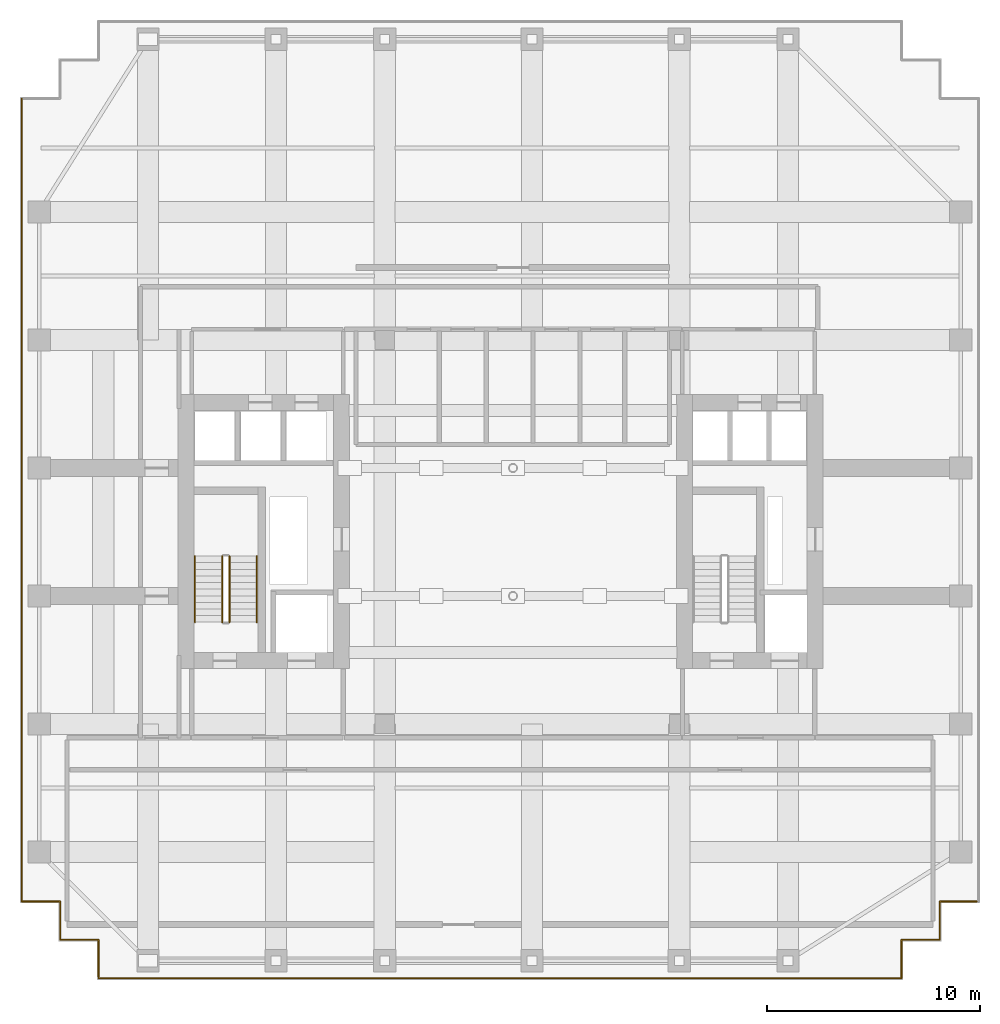
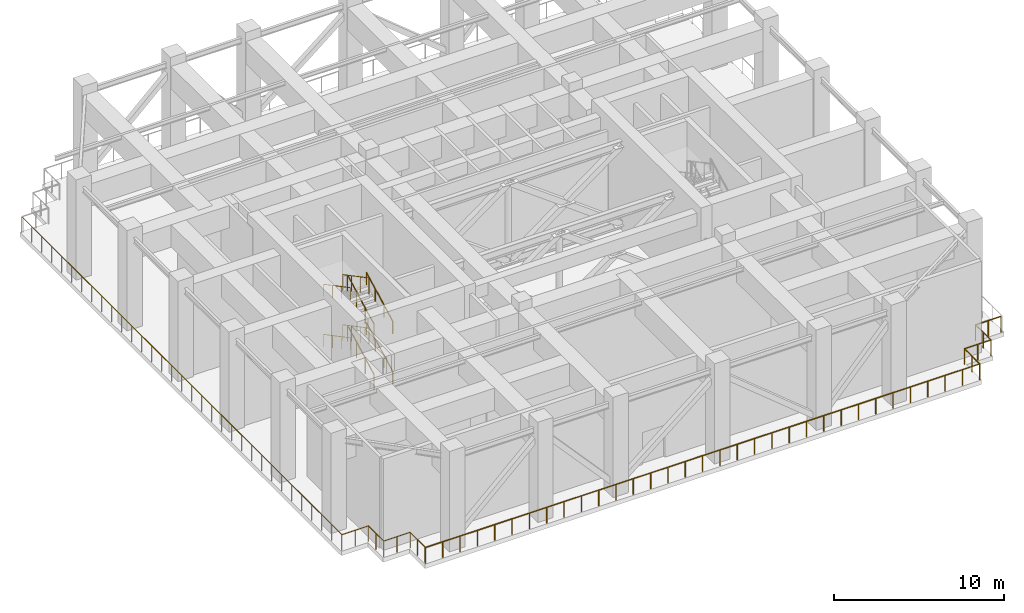
# One storey, part 8 of 10: 10 railings.
"""IFC4 building model written with IfcOpenShell, lengths in metres."""

import ifcopenshell
import ifcopenshell.guid

model = None  # the IFC model being written
_history = None  # IfcOwnerHistory: only IFC2X3 demands one
_inside = {}  # id of a spatial element -> (the spatial element, [elements in it])
_under = {}  # id of a project, library or spatial element -> (it, [spatial elements below it])
_declared = {}  # id of a project -> (the project, [libraries it declares])
_typed = {}  # id of a type object -> (the type object, [elements of that type])
_made_of = {}  # id of a material, layer set ... -> (it, [elements and type objects made of it])


def new_model(schema):
    """Start an empty IFC model of exactly this schema.

    Asked for "IFC4X3", IfcOpenShell would pick the latest addendum, in which some entities
    have other attributes; the version numbers below select the first issue.
    IFC2X3 requires an IfcOwnerHistory on every rooted entity: one is made here for all.
    """
    global model, _history
    if schema == "IFC4X3":
        model = ifcopenshell.file(schema_version=(4, 3, 0, 0))
    else:
        model = ifcopenshell.file(schema=schema)
    _inside.clear()
    _under.clear()
    _declared.clear()
    _typed.clear()
    _made_of.clear()
    _history = None
    if model.schema == "IFC2X3":
        org = make("IfcOrganization", Name="unknown")
        user = make(
            "IfcPersonAndOrganization",
            ThePerson=make("IfcPerson", FamilyName="unknown"),
            TheOrganization=org,
        )
        app = make(
            "IfcApplication",
            ApplicationDeveloper=org,
            Version="unknown",
            ApplicationFullName="unknown",
            ApplicationIdentifier="unknown",
        )
        _history = make(
            "IfcOwnerHistory",
            OwningUser=user,
            OwningApplication=app,
            ChangeAction="ADDED",
            CreationDate=0,
        )
    return model


def make(cls, **values):
    """One entity of the class cls with the attributes given. An attribute that is None is left unset."""
    return model.create_entity(
        cls, **{name: value for name, value in values.items() if value is not None}
    )


def rooted(cls, **values):
    """An entity with a GlobalId (a new one), such as an element, a storey or a relation."""
    return make(cls, GlobalId=ifcopenshell.guid.new(), OwnerHistory=_history, **values)


def si_unit(unit_type, name, prefix=None):
    """IfcSIUnit, for example si_unit("LENGTHUNIT", "METRE", prefix="MILLI")."""
    return make("IfcSIUnit", UnitType=unit_type, Prefix=prefix, Name=name)


def assignment(units):
    """IfcUnitAssignment: the units of a project."""
    return None if units is None else make("IfcUnitAssignment", Units=units)


def point(xyz):
    """IfcCartesianPoint."""
    return None if xyz is None else make("IfcCartesianPoint", Coordinates=xyz)


def direction(xyz):
    """IfcDirection."""
    return None if xyz is None else make("IfcDirection", DirectionRatios=xyz)


def frame(location, z_axis=None, x_axis=None):
    """IfcAxis2Placement3D, a coordinate frame: its origin and axes. An axis left out is left unset."""
    return make(
        "IfcAxis2Placement3D",
        Location=point(location),
        Axis=direction(z_axis),
        RefDirection=direction(x_axis),
    )


def frame_2d(location, x_axis=None):
    """IfcAxis2Placement2D, a coordinate frame in the plane: its origin and x axis."""
    return make(
        "IfcAxis2Placement2D", Location=point(location), RefDirection=direction(x_axis)
    )


def origin():
    """The frame at (0, 0, 0) with its axes left unset."""
    return frame((0.0, 0.0, 0.0))


def origin_2d():
    """The frame at (0, 0) in the plane with its x axis left unset."""
    return frame_2d((0.0, 0.0))


def place(relative_to, where):
    """IfcLocalPlacement: puts the frame where relative to a parent placement (None: the world)."""
    return make(
        "IfcLocalPlacement", PlacementRelTo=relative_to, RelativePlacement=where
    )


def context(
    kind, dimensions, precision=None, world=None, true_north=None, identifier=None
):
    """IfcGeometricRepresentationContext, for example the 3D "Model" context."""
    return make(
        "IfcGeometricRepresentationContext",
        ContextIdentifier=identifier,
        ContextType=kind,
        CoordinateSpaceDimension=dimensions,
        Precision=precision,
        WorldCoordinateSystem=world,
        TrueNorth=true_north,
    )


def subcontext(parent, identifier, kind, view, scale=None):
    """IfcGeometricRepresentationSubContext, for example "Body" below "Model"."""
    return make(
        "IfcGeometricRepresentationSubContext",
        ContextIdentifier=identifier,
        ContextType=kind,
        ParentContext=parent,
        TargetScale=scale,
        TargetView=view,
    )


def project(units=None, contexts=None):
    """IfcProject with its units and contexts."""
    return rooted(
        "IfcProject",
        Name="project",
        RepresentationContexts=contexts,
        UnitsInContext=assignment(units),
    )


def spatial(cls, under=None, at=None, **own):
    """A site, building, storey or space (cls), placed at a placement, below another one or the project."""
    s = rooted(cls, ObjectPlacement=at, **own)
    if under is not None:
        _under.setdefault(under.id(), (under, []))[1].append(s)
    return s


def profile(cls, at=None, kind="AREA", **sizes):
    """A parametric profile (cls). Its sizes go by their IFC names, for example OverallWidth=200.0."""
    return make(cls, ProfileType=kind, Position=at, **sizes)


def circle(**sizes):
    """IfcCircleProfileDef."""
    return profile("IfcCircleProfileDef", **sizes)


def extrude(swept, where, along, depth):
    """IfcExtrudedAreaSolid: the profile swept, set in the frame where, extruded along a direction by depth."""
    return make(
        "IfcExtrudedAreaSolid",
        SweptArea=swept,
        Position=where,
        ExtrudedDirection=direction(along),
        Depth=depth,
    )


def shape(context_of_items, identifier, shape_type, items):
    """IfcShapeRepresentation: the items that make up one representation, for example the "Body"."""
    return make(
        "IfcShapeRepresentation",
        ContextOfItems=context_of_items,
        RepresentationIdentifier=identifier,
        RepresentationType=shape_type,
        Items=items,
    )


def material(Name=None, Category=None):
    """IfcMaterial."""
    return make("IfcMaterial", Name=Name, Category=Category)


def made_of(thing, what):
    """Note that an element or type object is made of a material, layer set ...; save() writes the relation."""
    if what is not None:
        _made_of.setdefault(what.id(), (what, []))[1].append(thing)
    return thing


def type_object(cls, material=None, **own):
    """A type object (cls), such as IfcWallType, which elements share."""
    return made_of(rooted(cls, **own), material)


def element(
    cls,
    number,
    at=None,
    inside=None,
    cuts=None,
    type_object=None,
    material=None,
    context=None,
    identifier="Body",
    shape_type=None,
    held_by="IfcProductDefinitionShape",
    body=None,
    shapes=None,
    **own,
):
    """One element of the class cls, such as IfcWall. Its Tag is "e" and its number.

    at: its placement. inside: the storey or other place that contains it. cuts: it is an
    opening in that element (IfcRelVoidsElement). A single representation is given by context,
    identifier, shape_type and body (its items); several are given by shapes. held_by: the class
    of the entity that holds the representations. save() writes the other relations.
    """
    e = rooted(cls, Tag="e%d" % number, ObjectPlacement=at, **own)
    if body is not None:
        shapes = [shape(context, identifier, shape_type, body)]
    if shapes is not None:
        e.Representation = make(held_by, Representations=shapes)
    if inside is not None:
        _inside.setdefault(inside.id(), (inside, []))[1].append(e)
    if cuts is not None:
        rooted(
            "IfcRelVoidsElement", RelatingBuildingElement=cuts, RelatedOpeningElement=e
        )
    if type_object is not None:
        _typed.setdefault(type_object.id(), (type_object, []))[1].append(e)
    return made_of(e, material)


def aggregate(whole, parts):
    """IfcRelAggregates: a whole, such as a stair, and the parts it consists of."""
    return rooted("IfcRelAggregates", RelatingObject=whole, RelatedObjects=parts)


def save(model, path):
    """Write the relations noted so far, then the file.

    IfcRelAggregates (storeys below a building ...), IfcRelContainedInSpatialStructure (elements
    in a storey), IfcRelDefinesByType, IfcRelAssociatesMaterial and IfcRelDeclares: one each for
    every whole, place, type object, material and project.
    """
    for whole, parts in _under.values():
        aggregate(whole, parts)
    for where, things in _inside.values():
        rooted(
            "IfcRelContainedInSpatialStructure",
            RelatedElements=things,
            RelatingStructure=where,
        )
    for kind, things in _typed.values():
        rooted("IfcRelDefinesByType", RelatedObjects=things, RelatingType=kind)
    for what, things in _made_of.values():
        rooted("IfcRelAssociatesMaterial", RelatedObjects=things, RelatingMaterial=what)
    for by, libraries in _declared.values():
        rooted("IfcRelDeclares", RelatingContext=by, RelatedDefinitions=libraries)
    model.write(path)


model = new_model("IFC4")

# Units and contexts
model_context = context("Model", 3, precision=1e-05, world=origin(), true_north=direction((0.0, 1.0)))
body_context = subcontext(model_context, "Body", "Model", "MODEL_VIEW")
ifc_project = project(units=[si_unit("LENGTHUNIT", "METRE"), si_unit("AREAUNIT", "SQUARE_METRE"), si_unit("VOLUMEUNIT", "CUBIC_METRE"), si_unit("PLANEANGLEUNIT", "RADIAN"), si_unit("MASSUNIT", "GRAM", prefix="KILO")], contexts=[model_context])

# Site, building, storey
site_placement = place(None, origin())
site = spatial("IfcSite", under=ifc_project, at=site_placement, CompositionType="ELEMENT")
building_placement = place(site_placement, origin())
building = spatial("IfcBuilding", under=site, at=building_placement, Name="Khoralis Quay Care Tower", CompositionType="ELEMENT")
storey_placement = place(building_placement, frame((0.0, 0.0, 148.5)))
storey = spatial("IfcBuildingStorey", under=building, at=storey_placement, Name="L39", CompositionType="ELEMENT", Elevation=148.5)

# Railings
ifc_material_1 = material(Name="Pale anodised aluminium", Category="aluminium")
railing_type_1 = type_object("IfcRailingType", Name="RL-BALUST-1150", PredefinedType="BALUSTRADE", material=ifc_material_1)
railing_1_placement = place(storey_placement, frame((3.679931640625, 0.080078125, 0.0)))
element("IfcRailing", 1, at=railing_1_placement, inside=storey, type_object=railing_type_1, Name="L39 Open Wind-Slot Portal Perimeter Guard 1.1", PredefinedType="BALUSTRADE", context=body_context, shape_type="SweptSolid", body=[
    extrude(circle(Radius=0.02392578125, at=origin_2d()), frame((0.0, 0.0, 1.1259765625), z_axis=(1.0, 0.0, 0.0), x_axis=(0.0, 1.0, 0.0)), (0.0, 0.0, 1.0), 37.64013671875),
    extrude(circle(Radius=0.02392578125, at=origin_2d()), frame((37.64013671875, 0.0, 1.1259765625), z_axis=(0.0, 1.0, 0.0), x_axis=(-1.0, 0.0, 0.0)), (0.0, 0.0, 1.0), 1.7998046875),
    extrude(circle(Radius=0.02392578125, at=origin_2d()), frame((37.64013671875, 1.7998046875, 1.1259765625), z_axis=(1.0, 0.0, 0.0), x_axis=(0.0, 1.0, 0.0)), (0.0, 0.0, 1.0), 1.800048828125),
    extrude(circle(Radius=0.02392578125, at=origin_2d()), frame((39.440185546875, 1.7998046875, 1.1259765625), z_axis=(0.0, 1.0, 0.0), x_axis=(-1.0, 0.0, 0.0)), (0.0, 0.0, 1.0), 1.800048828125),
    extrude(circle(Radius=0.02392578125, at=origin_2d()), frame((39.440185546875, 3.599853515625, 1.1259765625), z_axis=(1.0, 0.0, 0.0), x_axis=(0.0, 1.0, 0.0)), (0.0, 0.0, 1.0), 1.719970703125),
    extrude(circle(Radius=0.02099609375, at=origin_2d()), origin(), (0.0, 0.0, 1.0), 1.101806640625),
    extrude(circle(Radius=0.02099609375, at=origin_2d()), frame((1.17626953125, 0.0, 0.0)), (0.0, 0.0, 1.0), 1.101806640625),
    extrude(circle(Radius=0.02099609375, at=origin_2d()), frame((2.3525390625, 0.0, 0.0)), (0.0, 0.0, 1.0), 1.101806640625),
    extrude(circle(Radius=0.02099609375, at=origin_2d()), frame((3.52880859375, 0.0, 0.0)), (0.0, 0.0, 1.0), 1.101806640625),
    extrude(circle(Radius=0.02099609375, at=origin_2d()), frame((4.705078125, 0.0, 0.0)), (0.0, 0.0, 1.0), 1.101806640625),
    extrude(circle(Radius=0.02099609375, at=origin_2d()), frame((5.88134765625, 0.0, 0.0)), (0.0, 0.0, 1.0), 1.101806640625),
    extrude(circle(Radius=0.02099609375, at=origin_2d()), frame((7.0576171875, 0.0, 0.0)), (0.0, 0.0, 1.0), 1.101806640625),
    extrude(circle(Radius=0.02099609375, at=origin_2d()), frame((8.23388671875, 0.0, 0.0)), (0.0, 0.0, 1.0), 1.101806640625),
    extrude(circle(Radius=0.02099609375, at=origin_2d()), frame((9.41015625, 0.0, 0.0)), (0.0, 0.0, 1.0), 1.101806640625),
    extrude(circle(Radius=0.02099609375, at=origin_2d()), frame((10.586181640625, 0.0, 0.0)), (0.0, 0.0, 1.0), 1.101806640625),
    extrude(circle(Radius=0.02099609375, at=origin_2d()), frame((11.762451171875, 0.0, 0.0)), (0.0, 0.0, 1.0), 1.101806640625),
    extrude(circle(Radius=0.02099609375, at=origin_2d()), frame((12.938720703125, 0.0, 0.0)), (0.0, 0.0, 1.0), 1.101806640625),
    extrude(circle(Radius=0.02099609375, at=origin_2d()), frame((14.114990234375, 0.0, 0.0)), (0.0, 0.0, 1.0), 1.101806640625),
    extrude(circle(Radius=0.02099609375, at=origin_2d()), frame((15.291259765625, 0.0, 0.0)), (0.0, 0.0, 1.0), 1.101806640625),
    extrude(circle(Radius=0.02099609375, at=origin_2d()), frame((16.467529296875, 0.0, 0.0)), (0.0, 0.0, 1.0), 1.101806640625),
    extrude(circle(Radius=0.02099609375, at=origin_2d()), frame((17.643798828125, 0.0, 0.0)), (0.0, 0.0, 1.0), 1.101806640625),
    extrude(circle(Radius=0.02099609375, at=origin_2d()), frame((18.820068359375, 0.0, 0.0)), (0.0, 0.0, 1.0), 1.101806640625),
    extrude(circle(Radius=0.02099609375, at=origin_2d()), frame((19.996337890625, 0.0, 0.0)), (0.0, 0.0, 1.0), 1.101806640625),
    extrude(circle(Radius=0.02099609375, at=origin_2d()), frame((21.172607421875, 0.0, 0.0)), (0.0, 0.0, 1.0), 1.101806640625),
    extrude(circle(Radius=0.02099609375, at=origin_2d()), frame((22.348876953125, 0.0, 0.0)), (0.0, 0.0, 1.0), 1.101806640625),
    extrude(circle(Radius=0.02099609375, at=origin_2d()), frame((23.525146484375, 0.0, 0.0)), (0.0, 0.0, 1.0), 1.101806640625),
    extrude(circle(Radius=0.02099609375, at=origin_2d()), frame((24.701416015625, 0.0, 0.0)), (0.0, 0.0, 1.0), 1.101806640625),
    extrude(circle(Radius=0.02099609375, at=origin_2d()), frame((25.877685546875, 0.0, 0.0)), (0.0, 0.0, 1.0), 1.101806640625),
    extrude(circle(Radius=0.02099609375, at=origin_2d()), frame((27.053955078125, 0.0, 0.0)), (0.0, 0.0, 1.0), 1.101806640625),
    extrude(circle(Radius=0.02099609375, at=origin_2d()), frame((28.22998046875, 0.0, 0.0)), (0.0, 0.0, 1.0), 1.101806640625),
    extrude(circle(Radius=0.02099609375, at=origin_2d()), frame((29.40625, 0.0, 0.0)), (0.0, 0.0, 1.0), 1.101806640625),
    extrude(circle(Radius=0.02099609375, at=origin_2d()), frame((30.58251953125, 0.0, 0.0)), (0.0, 0.0, 1.0), 1.101806640625),
    extrude(circle(Radius=0.02099609375, at=origin_2d()), frame((31.7587890625, 0.0, 0.0)), (0.0, 0.0, 1.0), 1.101806640625),
    extrude(circle(Radius=0.02099609375, at=origin_2d()), frame((32.93505859375, 0.0, 0.0)), (0.0, 0.0, 1.0), 1.101806640625),
    extrude(circle(Radius=0.02099609375, at=origin_2d()), frame((34.111328125, 0.0, 0.0)), (0.0, 0.0, 1.0), 1.101806640625),
    extrude(circle(Radius=0.02099609375, at=origin_2d()), frame((35.28759765625, 0.0, 0.0)), (0.0, 0.0, 1.0), 1.101806640625),
    extrude(circle(Radius=0.02099609375, at=origin_2d()), frame((36.4638671875, 0.0, 0.0)), (0.0, 0.0, 1.0), 1.101806640625),
    extrude(circle(Radius=0.02099609375, at=origin_2d()), frame((37.64013671875, 0.0, 0.0)), (0.0, 0.0, 1.0), 1.101806640625),
    extrude(circle(Radius=0.02099609375, at=origin_2d()), frame((37.64013671875, 0.89990234375, 0.0)), (0.0, 0.0, 1.0), 1.101806640625),
    extrude(circle(Radius=0.02099609375, at=origin_2d()), frame((37.64013671875, 1.7998046875, 0.0)), (0.0, 0.0, 1.0), 1.101806640625),
    extrude(circle(Radius=0.02099609375, at=origin_2d()), frame((38.5400390625, 1.7998046875, 0.0)), (0.0, 0.0, 1.0), 1.101806640625),
    extrude(circle(Radius=0.02099609375, at=origin_2d()), frame((39.440185546875, 1.7998046875, 0.0)), (0.0, 0.0, 1.0), 1.101806640625),
    extrude(circle(Radius=0.02099609375, at=origin_2d()), frame((39.440185546875, 2.69970703125, 0.0)), (0.0, 0.0, 1.0), 1.101806640625),
    extrude(circle(Radius=0.02099609375, at=origin_2d()), frame((39.440185546875, 3.599853515625, 0.0)), (0.0, 0.0, 1.0), 1.101806640625),
    extrude(circle(Radius=0.02099609375, at=origin_2d()), frame((40.30029296875, 3.599853515625, 0.0)), (0.0, 0.0, 1.0), 1.101806640625),
    extrude(circle(Radius=0.02099609375, at=origin_2d()), frame((41.16015625, 3.599853515625, 0.0)), (0.0, 0.0, 1.0), 1.101806640625),
])
railing_2_placement = place(storey_placement, frame((0.080078125, 41.320068359375, 0.0)))
element("IfcRailing", 2, at=railing_2_placement, inside=storey, type_object=railing_type_1, Name="L39 Open Wind-Slot Portal Perimeter Guard 1.4", PredefinedType="BALUSTRADE", context=body_context, shape_type="SweptSolid", body=[
    extrude(circle(Radius=0.02392578125, at=origin_2d()), frame((0.0, 0.0, 1.1259765625), z_axis=(0.0, -1.0, 0.0), x_axis=(1.0, 0.0, 0.0)), (0.0, 0.0, 1.0), 37.64013671875),
    extrude(circle(Radius=0.02392578125, at=origin_2d()), frame((0.0, -37.64013671875, 1.1259765625), z_axis=(1.0, 0.0, 0.0), x_axis=(0.0, 1.0, 0.0)), (0.0, 0.0, 1.0), 1.7998046875),
    extrude(circle(Radius=0.02392578125, at=origin_2d()), frame((1.7998046875, -37.64013671875, 1.1259765625), z_axis=(0.0, -1.0, 0.0), x_axis=(1.0, 0.0, 0.0)), (0.0, 0.0, 1.0), 1.800048828125),
    extrude(circle(Radius=0.02392578125, at=origin_2d()), frame((1.7998046875, -39.440185546875, 1.1259765625), z_axis=(1.0, 0.0, 0.0), x_axis=(0.0, 1.0, 0.0)), (0.0, 0.0, 1.0), 1.800048828125),
    extrude(circle(Radius=0.02392578125, at=origin_2d()), frame((3.599853515625, -39.440185546875, 1.1259765625), z_axis=(0.0, -1.0, 0.0), x_axis=(1.0, 0.0, 0.0)), (0.0, 0.0, 1.0), 1.719970703125),
    extrude(circle(Radius=0.02099609375, at=origin_2d()), origin(), (0.0, 0.0, 1.0), 1.101806640625),
    extrude(circle(Radius=0.02099609375, at=origin_2d()), frame((0.0, -1.17626953125, 0.0)), (0.0, 0.0, 1.0), 1.101806640625),
    extrude(circle(Radius=0.02099609375, at=origin_2d()), frame((0.0, -2.3525390625, 0.0)), (0.0, 0.0, 1.0), 1.101806640625),
    extrude(circle(Radius=0.02099609375, at=origin_2d()), frame((0.0, -3.52880859375, 0.0)), (0.0, 0.0, 1.0), 1.101806640625),
    extrude(circle(Radius=0.02099609375, at=origin_2d()), frame((0.0, -4.705078125, 0.0)), (0.0, 0.0, 1.0), 1.101806640625),
    extrude(circle(Radius=0.02099609375, at=origin_2d()), frame((0.0, -5.88134765625, 0.0)), (0.0, 0.0, 1.0), 1.101806640625),
    extrude(circle(Radius=0.02099609375, at=origin_2d()), frame((0.0, -7.0576171875, 0.0)), (0.0, 0.0, 1.0), 1.101806640625),
    extrude(circle(Radius=0.02099609375, at=origin_2d()), frame((0.0, -8.23388671875, 0.0)), (0.0, 0.0, 1.0), 1.101806640625),
    extrude(circle(Radius=0.02099609375, at=origin_2d()), frame((0.0, -9.41015625, 0.0)), (0.0, 0.0, 1.0), 1.101806640625),
    extrude(circle(Radius=0.02099609375, at=origin_2d()), frame((0.0, -10.586181640625, 0.0)), (0.0, 0.0, 1.0), 1.101806640625),
    extrude(circle(Radius=0.02099609375, at=origin_2d()), frame((0.0, -11.762451171875, 0.0)), (0.0, 0.0, 1.0), 1.101806640625),
    extrude(circle(Radius=0.02099609375, at=origin_2d()), frame((0.0, -12.938720703125, 0.0)), (0.0, 0.0, 1.0), 1.101806640625),
    extrude(circle(Radius=0.02099609375, at=origin_2d()), frame((0.0, -14.114990234375, 0.0)), (0.0, 0.0, 1.0), 1.101806640625),
    extrude(circle(Radius=0.02099609375, at=origin_2d()), frame((0.0, -15.291259765625, 0.0)), (0.0, 0.0, 1.0), 1.101806640625),
    extrude(circle(Radius=0.02099609375, at=origin_2d()), frame((0.0, -16.467529296875, 0.0)), (0.0, 0.0, 1.0), 1.101806640625),
    extrude(circle(Radius=0.02099609375, at=origin_2d()), frame((0.0, -17.643798828125, 0.0)), (0.0, 0.0, 1.0), 1.101806640625),
    extrude(circle(Radius=0.02099609375, at=origin_2d()), frame((0.0, -18.820068359375, 0.0)), (0.0, 0.0, 1.0), 1.101806640625),
    extrude(circle(Radius=0.02099609375, at=origin_2d()), frame((0.0, -19.996337890625, 0.0)), (0.0, 0.0, 1.0), 1.101806640625),
    extrude(circle(Radius=0.02099609375, at=origin_2d()), frame((0.0, -21.172607421875, 0.0)), (0.0, 0.0, 1.0), 1.101806640625),
    extrude(circle(Radius=0.02099609375, at=origin_2d()), frame((0.0, -22.348876953125, 0.0)), (0.0, 0.0, 1.0), 1.101806640625),
    extrude(circle(Radius=0.02099609375, at=origin_2d()), frame((0.0, -23.525146484375, 0.0)), (0.0, 0.0, 1.0), 1.101806640625),
    extrude(circle(Radius=0.02099609375, at=origin_2d()), frame((0.0, -24.701416015625, 0.0)), (0.0, 0.0, 1.0), 1.101806640625),
    extrude(circle(Radius=0.02099609375, at=origin_2d()), frame((0.0, -25.877685546875, 0.0)), (0.0, 0.0, 1.0), 1.101806640625),
    extrude(circle(Radius=0.02099609375, at=origin_2d()), frame((0.0, -27.053955078125, 0.0)), (0.0, 0.0, 1.0), 1.101806640625),
    extrude(circle(Radius=0.02099609375, at=origin_2d()), frame((0.0, -28.22998046875, 0.0)), (0.0, 0.0, 1.0), 1.101806640625),
    extrude(circle(Radius=0.02099609375, at=origin_2d()), frame((0.0, -29.40625, 0.0)), (0.0, 0.0, 1.0), 1.101806640625),
    extrude(circle(Radius=0.02099609375, at=origin_2d()), frame((0.0, -30.58251953125, 0.0)), (0.0, 0.0, 1.0), 1.101806640625),
    extrude(circle(Radius=0.02099609375, at=origin_2d()), frame((0.0, -31.7587890625, 0.0)), (0.0, 0.0, 1.0), 1.101806640625),
    extrude(circle(Radius=0.02099609375, at=origin_2d()), frame((0.0, -32.93505859375, 0.0)), (0.0, 0.0, 1.0), 1.101806640625),
    extrude(circle(Radius=0.02099609375, at=origin_2d()), frame((0.0, -34.111328125, 0.0)), (0.0, 0.0, 1.0), 1.101806640625),
    extrude(circle(Radius=0.02099609375, at=origin_2d()), frame((0.0, -35.28759765625, 0.0)), (0.0, 0.0, 1.0), 1.101806640625),
    extrude(circle(Radius=0.02099609375, at=origin_2d()), frame((0.0, -36.4638671875, 0.0)), (0.0, 0.0, 1.0), 1.101806640625),
    extrude(circle(Radius=0.02099609375, at=origin_2d()), frame((0.0, -37.64013671875, 0.0)), (0.0, 0.0, 1.0), 1.101806640625),
    extrude(circle(Radius=0.02099609375, at=origin_2d()), frame((0.89990234375, -37.64013671875, 0.0)), (0.0, 0.0, 1.0), 1.101806640625),
    extrude(circle(Radius=0.02099609375, at=origin_2d()), frame((1.7998046875, -37.64013671875, 0.0)), (0.0, 0.0, 1.0), 1.101806640625),
    extrude(circle(Radius=0.02099609375, at=origin_2d()), frame((1.7998046875, -38.5400390625, 0.0)), (0.0, 0.0, 1.0), 1.101806640625),
    extrude(circle(Radius=0.02099609375, at=origin_2d()), frame((1.7998046875, -39.440185546875, 0.0)), (0.0, 0.0, 1.0), 1.101806640625),
    extrude(circle(Radius=0.02099609375, at=origin_2d()), frame((2.69970703125, -39.440185546875, 0.0)), (0.0, 0.0, 1.0), 1.101806640625),
    extrude(circle(Radius=0.02099609375, at=origin_2d()), frame((3.599853515625, -39.440185546875, 0.0)), (0.0, 0.0, 1.0), 1.101806640625),
    extrude(circle(Radius=0.02099609375, at=origin_2d()), frame((3.599853515625, -40.30029296875, 0.0)), (0.0, 0.0, 1.0), 1.101806640625),
    extrude(circle(Radius=0.02099609375, at=origin_2d()), frame((3.599853515625, -41.16015625, 0.0)), (0.0, 0.0, 1.0), 1.101806640625),
])
ifc_material_2 = material(Name="Brushed stainless steel", Category="steel")
railing_type_2 = type_object("IfcRailingType", Name="RL-GUARD-1150", PredefinedType="GUARDRAIL", material=ifc_material_2)
railing_3_placement = place(storey_placement, frame((9.820068359375, 16.77001953125, 0.16357421875)))
element("IfcRailing", 3, at=railing_3_placement, inside=storey, type_object=railing_type_2, Name="L39 ST-T1 stair guard 1", PredefinedType="GUARDRAIL", context=body_context, shape_type="SweptSolid", body=[
    extrude(circle(Radius=0.02392578125, at=origin_2d()), frame((0.0, 0.0, 1.1259765625), z_axis=(0.0, 0.884348015382, 0.466828220752), x_axis=(-1.0, 0.0, 0.0)), (0.0, 0.0, 1.0), 3.505615234375),
    extrude(circle(Radius=0.02099609375, at=origin_2d()), origin(), (0.0, 0.0, 1.0), 1.101806640625),
    extrude(circle(Radius=0.02099609375, at=origin_2d()), frame((0.0, 1.033447265625, 0.54541015625)), (0.0, 0.0, 1.0), 1.101806640625),
    extrude(circle(Radius=0.02099609375, at=origin_2d()), frame((0.0, 2.066650390625, 1.091064453125)), (0.0, 0.0, 1.0), 1.101806640625),
    extrude(circle(Radius=0.02099609375, at=origin_2d()), frame((0.0, 3.10009765625, 1.636474609375)), (0.0, 0.0, 1.0), 1.101806640625),
])
railing_4_placement = place(storey_placement, frame((9.47998046875, 19.8701171875, 1.963623046875)))
element("IfcRailing", 4, at=railing_4_placement, inside=storey, type_object=railing_type_2, Name="L39 ST-T1 stair guard 3", PredefinedType="GUARDRAIL", context=body_context, shape_type="SweptSolid", body=[
    extrude(circle(Radius=0.02392578125, at=origin_2d()), frame((0.0, 0.0, 1.1259765625), z_axis=(0.0, -0.884348015382, 0.466828220752), x_axis=(1.0, 0.0, 0.0)), (0.0, 0.0, 1.0), 3.505615234375),
    extrude(circle(Radius=0.02099609375, at=origin_2d()), origin(), (0.0, 0.0, 1.0), 1.101806640625),
    extrude(circle(Radius=0.02099609375, at=origin_2d()), frame((0.0, -1.033447265625, 0.54541015625)), (0.0, 0.0, 1.0), 1.101806640625),
    extrude(circle(Radius=0.02099609375, at=origin_2d()), frame((0.0, -2.066650390625, 1.091064453125)), (0.0, 0.0, 1.0), 1.101806640625),
    extrude(circle(Radius=0.02099609375, at=origin_2d()), frame((0.0, -3.10009765625, 1.636474609375)), (0.0, 0.0, 1.0), 1.101806640625),
])
railing_5_placement = place(storey_placement, frame((9.820068359375, 16.77001953125, 3.763671875)))
element("IfcRailing", 5, at=railing_5_placement, inside=storey, type_object=railing_type_2, Name="L39 ST-T1 stair guard 5", PredefinedType="GUARDRAIL", context=body_context, shape_type="SweptSolid", body=[
    extrude(circle(Radius=0.02392578125, at=origin_2d()), frame((0.0, 0.0, 1.1259765625), z_axis=(0.0, 0.884376766648, 0.46677375099), x_axis=(-1.0, 0.0, 0.0)), (0.0, 0.0, 1.0), 3.50537109375),
    extrude(circle(Radius=0.02099609375, at=origin_2d()), origin(), (0.0, 0.0, 1.0), 1.101806640625),
    extrude(circle(Radius=0.02099609375, at=origin_2d()), frame((0.0, 1.033447265625, 0.54541015625)), (0.0, 0.0, 1.0), 1.101806640625),
    extrude(circle(Radius=0.02099609375, at=origin_2d()), frame((0.0, 2.066650390625, 1.0908203125)), (0.0, 0.0, 1.0), 1.101806640625),
    extrude(circle(Radius=0.02099609375, at=origin_2d()), frame((0.0, 3.10009765625, 1.63623046875)), (0.0, 0.0, 1.0), 1.101806640625),
])
railing_6_placement = place(storey_placement, frame((9.47998046875, 19.8701171875, 5.563720703125)))
element("IfcRailing", 6, at=railing_6_placement, inside=storey, type_object=railing_type_2, Name="L39 ST-T1 stair guard 7", PredefinedType="GUARDRAIL", context=body_context, shape_type="SweptSolid", body=[
    extrude(circle(Radius=0.02392578125, at=origin_2d()), frame((0.0, 0.0, 1.1259765625), z_axis=(0.0, -0.884376766648, 0.46677375099), x_axis=(1.0, 0.0, 0.0)), (0.0, 0.0, 1.0), 3.50537109375),
    extrude(circle(Radius=0.02099609375, at=origin_2d()), origin(), (0.0, 0.0, 1.0), 1.101806640625),
    extrude(circle(Radius=0.02099609375, at=origin_2d()), frame((0.0, -1.033447265625, 0.54541015625)), (0.0, 0.0, 1.0), 1.101806640625),
    extrude(circle(Radius=0.02099609375, at=origin_2d()), frame((0.0, -2.066650390625, 1.0908203125)), (0.0, 0.0, 1.0), 1.101806640625),
    extrude(circle(Radius=0.02099609375, at=origin_2d()), frame((0.0, -3.10009765625, 1.63623046875)), (0.0, 0.0, 1.0), 1.101806640625),
])
railing_type_3 = type_object("IfcRailingType", Name="RL-HAND-900", PredefinedType="HANDRAIL", material=ifc_material_2)
railing_7_placement = place(storey_placement, frame((11.10009765625, 16.77001953125, 0.16357421875)))
element("IfcRailing", 7, at=railing_7_placement, inside=storey, type_object=railing_type_3, Name="L39 ST-T1 stair handrail 1", PredefinedType="HANDRAIL", context=body_context, shape_type="SweptSolid", body=[
    extrude(circle(Radius=0.02392578125, at=origin_2d()), frame((0.0, 0.0, 0.8759765625), z_axis=(0.0, 0.884348015382, 0.466828220752), x_axis=(-1.0, 0.0, 0.0)), (0.0, 0.0, 1.0), 3.505615234375),
    extrude(circle(Radius=0.02099609375, at=origin_2d()), origin(), (0.0, 0.0, 1.0), 0.851806640625),
    extrude(circle(Radius=0.02099609375, at=origin_2d()), frame((0.0, 1.033447265625, 0.54541015625)), (0.0, 0.0, 1.0), 0.851806640625),
    extrude(circle(Radius=0.02099609375, at=origin_2d()), frame((0.0, 2.066650390625, 1.091064453125)), (0.0, 0.0, 1.0), 0.851806640625),
    extrude(circle(Radius=0.02099609375, at=origin_2d()), frame((0.0, 3.10009765625, 1.636474609375)), (0.0, 0.0, 1.0), 0.851806640625),
])
railing_8_placement = place(storey_placement, frame((8.199951171875, 19.8701171875, 1.963623046875)))
element("IfcRailing", 8, at=railing_8_placement, inside=storey, type_object=railing_type_3, Name="L39 ST-T1 stair handrail 2", PredefinedType="HANDRAIL", context=body_context, shape_type="SweptSolid", body=[
    extrude(circle(Radius=0.02392578125, at=origin_2d()), frame((0.0, 0.0, 0.8759765625), z_axis=(0.0, -0.884348015382, 0.466828220752), x_axis=(1.0, 0.0, 0.0)), (0.0, 0.0, 1.0), 3.505615234375),
    extrude(circle(Radius=0.02099609375, at=origin_2d()), origin(), (0.0, 0.0, 1.0), 0.851806640625),
    extrude(circle(Radius=0.02099609375, at=origin_2d()), frame((0.0, -1.033447265625, 0.54541015625)), (0.0, 0.0, 1.0), 0.851806640625),
    extrude(circle(Radius=0.02099609375, at=origin_2d()), frame((0.0, -2.066650390625, 1.091064453125)), (0.0, 0.0, 1.0), 0.851806640625),
    extrude(circle(Radius=0.02099609375, at=origin_2d()), frame((0.0, -3.10009765625, 1.636474609375)), (0.0, 0.0, 1.0), 0.851806640625),
])
railing_9_placement = place(storey_placement, frame((11.10009765625, 16.77001953125, 3.763671875)))
element("IfcRailing", 9, at=railing_9_placement, inside=storey, type_object=railing_type_3, Name="L39 ST-T1 stair handrail 3", PredefinedType="HANDRAIL", context=body_context, shape_type="SweptSolid", body=[
    extrude(circle(Radius=0.02392578125, at=origin_2d()), frame((0.0, 0.0, 0.8759765625), z_axis=(0.0, 0.884376766648, 0.46677375099), x_axis=(-1.0, 0.0, 0.0)), (0.0, 0.0, 1.0), 3.50537109375),
    extrude(circle(Radius=0.02099609375, at=origin_2d()), origin(), (0.0, 0.0, 1.0), 0.851806640625),
    extrude(circle(Radius=0.02099609375, at=origin_2d()), frame((0.0, 1.033447265625, 0.54541015625)), (0.0, 0.0, 1.0), 0.851806640625),
    extrude(circle(Radius=0.02099609375, at=origin_2d()), frame((0.0, 2.066650390625, 1.0908203125)), (0.0, 0.0, 1.0), 0.851806640625),
    extrude(circle(Radius=0.02099609375, at=origin_2d()), frame((0.0, 3.10009765625, 1.63623046875)), (0.0, 0.0, 1.0), 0.851806640625),
])
railing_10_placement = place(storey_placement, frame((8.199951171875, 19.8701171875, 5.563720703125)))
element("IfcRailing", 10, at=railing_10_placement, inside=storey, type_object=railing_type_3, Name="L39 ST-T1 stair handrail 4", PredefinedType="HANDRAIL", context=body_context, shape_type="SweptSolid", body=[
    extrude(circle(Radius=0.02392578125, at=origin_2d()), frame((0.0, 0.0, 0.8759765625), z_axis=(0.0, -0.884376766648, 0.46677375099), x_axis=(1.0, 0.0, 0.0)), (0.0, 0.0, 1.0), 3.50537109375),
    extrude(circle(Radius=0.02099609375, at=origin_2d()), origin(), (0.0, 0.0, 1.0), 0.851806640625),
    extrude(circle(Radius=0.02099609375, at=origin_2d()), frame((0.0, -1.033447265625, 0.54541015625)), (0.0, 0.0, 1.0), 0.851806640625),
    extrude(circle(Radius=0.02099609375, at=origin_2d()), frame((0.0, -2.066650390625, 1.0908203125)), (0.0, 0.0, 1.0), 0.851806640625),
    extrude(circle(Radius=0.02099609375, at=origin_2d()), frame((0.0, -3.10009765625, 1.63623046875)), (0.0, 0.0, 1.0), 0.851806640625),
])

save(model, "model.ifc")
